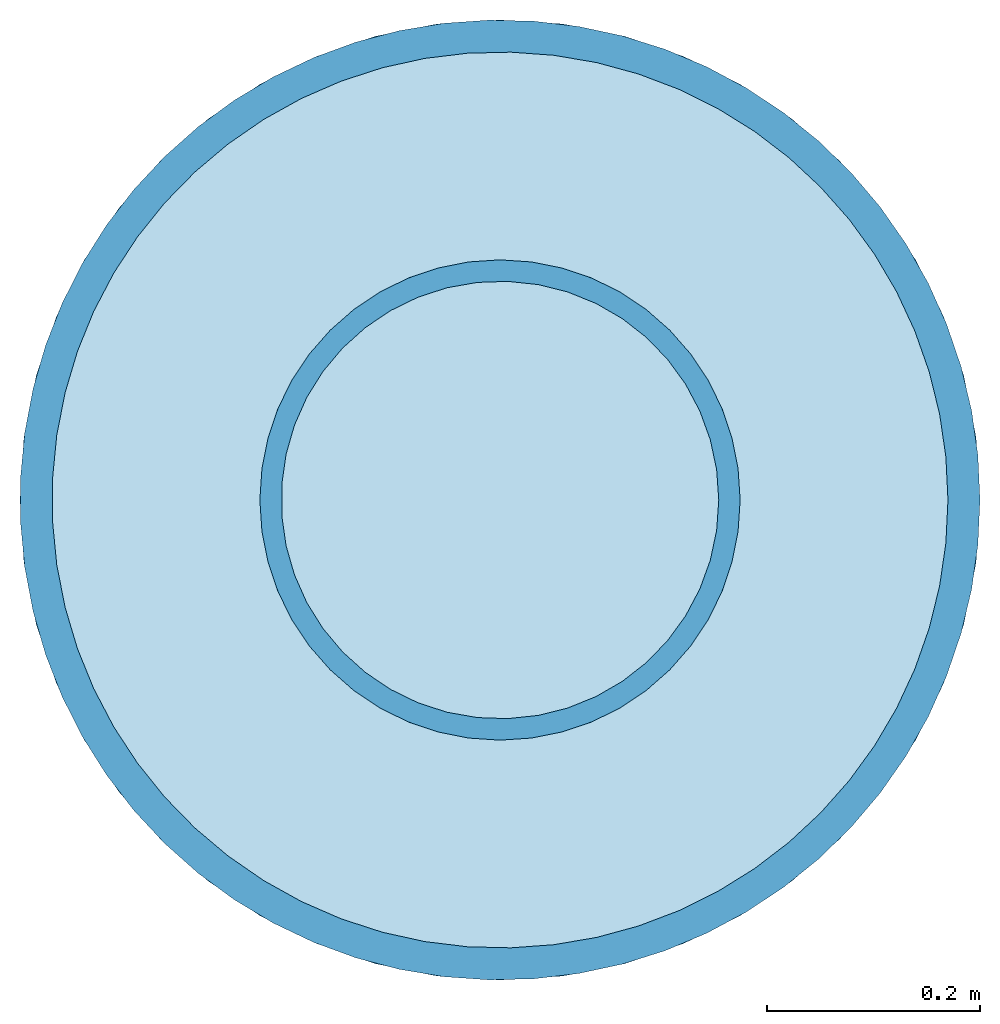
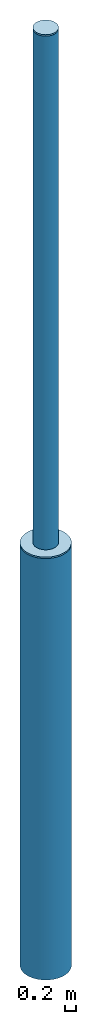
# One storey: 2 members, 2 plates.
"""IFC4 building model written with IfcOpenShell, lengths in metres."""

import ifcopenshell
import ifcopenshell.guid

model = None  # the IFC model being written
_history = None  # IfcOwnerHistory: only IFC2X3 demands one
_inside = {}  # id of a spatial element -> (the spatial element, [elements in it])
_under = {}  # id of a project, library or spatial element -> (it, [spatial elements below it])
_declared = {}  # id of a project -> (the project, [libraries it declares])
_typed = {}  # id of a type object -> (the type object, [elements of that type])
_made_of = {}  # id of a material, layer set ... -> (it, [elements and type objects made of it])


def new_model(schema):
    """Start an empty IFC model of exactly this schema.

    Asked for "IFC4X3", IfcOpenShell would pick the latest addendum, in which some entities
    have other attributes; the version numbers below select the first issue.
    IFC2X3 requires an IfcOwnerHistory on every rooted entity: one is made here for all.
    """
    global model, _history
    if schema == "IFC4X3":
        model = ifcopenshell.file(schema_version=(4, 3, 0, 0))
    else:
        model = ifcopenshell.file(schema=schema)
    _inside.clear()
    _under.clear()
    _declared.clear()
    _typed.clear()
    _made_of.clear()
    _history = None
    if model.schema == "IFC2X3":
        org = make("IfcOrganization", Name="unknown")
        user = make(
            "IfcPersonAndOrganization",
            ThePerson=make("IfcPerson", FamilyName="unknown"),
            TheOrganization=org,
        )
        app = make(
            "IfcApplication",
            ApplicationDeveloper=org,
            Version="unknown",
            ApplicationFullName="unknown",
            ApplicationIdentifier="unknown",
        )
        _history = make(
            "IfcOwnerHistory",
            OwningUser=user,
            OwningApplication=app,
            ChangeAction="ADDED",
            CreationDate=0,
        )
    return model


def make(cls, **values):
    """One entity of the class cls with the attributes given. An attribute that is None is left unset."""
    return model.create_entity(
        cls, **{name: value for name, value in values.items() if value is not None}
    )


def rooted(cls, **values):
    """An entity with a GlobalId (a new one), such as an element, a storey or a relation."""
    return make(cls, GlobalId=ifcopenshell.guid.new(), OwnerHistory=_history, **values)


def si_unit(unit_type, name, prefix=None):
    """IfcSIUnit, for example si_unit("LENGTHUNIT", "METRE", prefix="MILLI")."""
    return make("IfcSIUnit", UnitType=unit_type, Prefix=prefix, Name=name)


def assignment(units):
    """IfcUnitAssignment: the units of a project."""
    return None if units is None else make("IfcUnitAssignment", Units=units)


def point(xyz):
    """IfcCartesianPoint."""
    return None if xyz is None else make("IfcCartesianPoint", Coordinates=xyz)


def direction(xyz):
    """IfcDirection."""
    return None if xyz is None else make("IfcDirection", DirectionRatios=xyz)


def frame(location, z_axis=None, x_axis=None):
    """IfcAxis2Placement3D, a coordinate frame: its origin and axes. An axis left out is left unset."""
    return make(
        "IfcAxis2Placement3D",
        Location=point(location),
        Axis=direction(z_axis),
        RefDirection=direction(x_axis),
    )


def frame_2d(location, x_axis=None):
    """IfcAxis2Placement2D, a coordinate frame in the plane: its origin and x axis."""
    return make(
        "IfcAxis2Placement2D", Location=point(location), RefDirection=direction(x_axis)
    )


def origin():
    """The frame at (0, 0, 0) with its axes left unset."""
    return frame((0.0, 0.0, 0.0))


def origin_with_axes():
    """The frame at (0, 0, 0) with the z axis (0, 0, 1) and the x axis (1, 0, 0) written out."""
    return frame((0.0, 0.0, 0.0), z_axis=(0.0, 0.0, 1.0), x_axis=(1.0, 0.0, 0.0))


def origin_2d():
    """The frame at (0, 0) in the plane with its x axis left unset."""
    return frame_2d((0.0, 0.0))


def place(relative_to, where):
    """IfcLocalPlacement: puts the frame where relative to a parent placement (None: the world)."""
    return make(
        "IfcLocalPlacement", PlacementRelTo=relative_to, RelativePlacement=where
    )


def context(
    kind, dimensions, precision=None, world=None, true_north=None, identifier=None
):
    """IfcGeometricRepresentationContext, for example the 3D "Model" context."""
    return make(
        "IfcGeometricRepresentationContext",
        ContextIdentifier=identifier,
        ContextType=kind,
        CoordinateSpaceDimension=dimensions,
        Precision=precision,
        WorldCoordinateSystem=world,
        TrueNorth=true_north,
    )


def subcontext(parent, identifier, kind, view, scale=None):
    """IfcGeometricRepresentationSubContext, for example "Body" below "Model"."""
    return make(
        "IfcGeometricRepresentationSubContext",
        ContextIdentifier=identifier,
        ContextType=kind,
        ParentContext=parent,
        TargetScale=scale,
        TargetView=view,
    )


def project(units=None, contexts=None):
    """IfcProject with its units and contexts."""
    return rooted(
        "IfcProject",
        Name="project",
        RepresentationContexts=contexts,
        UnitsInContext=assignment(units),
    )


def spatial(cls, under=None, at=None, **own):
    """A site, building, storey or space (cls), placed at a placement, below another one or the project."""
    s = rooted(cls, ObjectPlacement=at, **own)
    if under is not None:
        _under.setdefault(under.id(), (under, []))[1].append(s)
    return s


def polyline(points):
    """IfcPolyline through the points."""
    return make("IfcPolyline", Points=[point(p) for p in points])


def profile(cls, at=None, kind="AREA", **sizes):
    """A parametric profile (cls). Its sizes go by their IFC names, for example OverallWidth=200.0."""
    return make(cls, ProfileType=kind, Position=at, **sizes)


def hollow_circle(**sizes):
    """IfcCircleHollowProfileDef."""
    return profile("IfcCircleHollowProfileDef", **sizes)


def outline(outer, holes=None, kind="AREA"):
    """IfcArbitraryClosedProfileDef: a profile drawn as a closed curve; with holes, ...WithVoids."""
    if holes is None:
        return make("IfcArbitraryClosedProfileDef", ProfileType=kind, OuterCurve=outer)
    return make(
        "IfcArbitraryProfileDefWithVoids",
        ProfileType=kind,
        OuterCurve=outer,
        InnerCurves=holes,
    )


def extrude(swept, where, along, depth):
    """IfcExtrudedAreaSolid: the profile swept, set in the frame where, extruded along a direction by depth."""
    return make(
        "IfcExtrudedAreaSolid",
        SweptArea=swept,
        Position=where,
        ExtrudedDirection=direction(along),
        Depth=depth,
    )


def shape(context_of_items, identifier, shape_type, items):
    """IfcShapeRepresentation: the items that make up one representation, for example the "Body"."""
    return make(
        "IfcShapeRepresentation",
        ContextOfItems=context_of_items,
        RepresentationIdentifier=identifier,
        RepresentationType=shape_type,
        Items=items,
    )


def material(Name=None, Category=None):
    """IfcMaterial."""
    return make("IfcMaterial", Name=Name, Category=Category)


def layer(
    of_material, thickness, ventilated=None, Name=None, Category=None, Priority=None
):
    """IfcMaterialLayer: one layer of a wall or slab, of a material (None: an air gap)."""
    return make(
        "IfcMaterialLayer",
        Material=of_material,
        LayerThickness=thickness,
        IsVentilated=ventilated,
        Name=Name,
        Category=Category,
        Priority=Priority,
    )


def layer_set(layers, Name=None):
    """IfcMaterialLayerSet."""
    return make("IfcMaterialLayerSet", MaterialLayers=layers, LayerSetName=Name)


def material_profile(
    of_material, cross_section, Name=None, Category=None, Priority=None
):
    """IfcMaterialProfile: a cross section and its material."""
    return make(
        "IfcMaterialProfile",
        Name=Name,
        Material=of_material,
        Profile=cross_section,
        Priority=Priority,
        Category=Category,
    )


def profile_set(profiles, Name=None, composite=None):
    """IfcMaterialProfileSet."""
    return make(
        "IfcMaterialProfileSet",
        Name=Name,
        MaterialProfiles=profiles,
        CompositeProfile=composite,
    )


def made_of(thing, what):
    """Note that an element or type object is made of a material, layer set ...; save() writes the relation."""
    if what is not None:
        _made_of.setdefault(what.id(), (what, []))[1].append(thing)
    return thing


def type_object(cls, material=None, **own):
    """A type object (cls), such as IfcWallType, which elements share."""
    return made_of(rooted(cls, **own), material)


def element(
    cls,
    number,
    at=None,
    inside=None,
    cuts=None,
    type_object=None,
    material=None,
    context=None,
    identifier="Body",
    shape_type=None,
    held_by="IfcProductDefinitionShape",
    body=None,
    shapes=None,
    **own,
):
    """One element of the class cls, such as IfcWall. Its Tag is "e" and its number.

    at: its placement. inside: the storey or other place that contains it. cuts: it is an
    opening in that element (IfcRelVoidsElement). A single representation is given by context,
    identifier, shape_type and body (its items); several are given by shapes. held_by: the class
    of the entity that holds the representations. save() writes the other relations.
    """
    e = rooted(cls, Tag="e%d" % number, ObjectPlacement=at, **own)
    if body is not None:
        shapes = [shape(context, identifier, shape_type, body)]
    if shapes is not None:
        e.Representation = make(held_by, Representations=shapes)
    if inside is not None:
        _inside.setdefault(inside.id(), (inside, []))[1].append(e)
    if cuts is not None:
        rooted(
            "IfcRelVoidsElement", RelatingBuildingElement=cuts, RelatedOpeningElement=e
        )
    if type_object is not None:
        _typed.setdefault(type_object.id(), (type_object, []))[1].append(e)
    return made_of(e, material)


def aggregate(whole, parts):
    """IfcRelAggregates: a whole, such as a stair, and the parts it consists of."""
    return rooted("IfcRelAggregates", RelatingObject=whole, RelatedObjects=parts)


def save(model, path):
    """Write the relations noted so far, then the file.

    IfcRelAggregates (storeys below a building ...), IfcRelContainedInSpatialStructure (elements
    in a storey), IfcRelDefinesByType, IfcRelAssociatesMaterial and IfcRelDeclares: one each for
    every whole, place, type object, material and project.
    """
    for whole, parts in _under.values():
        aggregate(whole, parts)
    for where, things in _inside.values():
        rooted(
            "IfcRelContainedInSpatialStructure",
            RelatedElements=things,
            RelatingStructure=where,
        )
    for kind, things in _typed.values():
        rooted("IfcRelDefinesByType", RelatedObjects=things, RelatingType=kind)
    for what, things in _made_of.values():
        rooted("IfcRelAssociatesMaterial", RelatedObjects=things, RelatingMaterial=what)
    for by, libraries in _declared.values():
        rooted("IfcRelDeclares", RelatingContext=by, RelatedDefinitions=libraries)
    model.write(path)


model = new_model("IFC4")

# Units and contexts
model_context = context("Model", 3, precision=1e-05, world=origin(), true_north=direction((0.0, 1.0)))
body_context = subcontext(model_context, "Body", "Model", "MODEL_VIEW")
ifc_project = project(units=[si_unit("LENGTHUNIT", "METRE"), si_unit("AREAUNIT", "SQUARE_METRE"), si_unit("VOLUMEUNIT", "CUBIC_METRE"), si_unit("PLANEANGLEUNIT", "RADIAN"), si_unit("MASSUNIT", "GRAM", prefix="KILO")], contexts=[model_context])

# Site, building, storey
site_placement = place(None, origin())
site = spatial("IfcSite", under=ifc_project, at=site_placement, CompositionType="ELEMENT")
building_placement = place(site_placement, origin())
building = spatial("IfcBuilding", under=site, at=building_placement, Name="Corvane Civic Tower", CompositionType="ELEMENT")
storey_placement = place(building_placement, frame((0.0, 0.0, 418.199951171875)))
storey = spatial("IfcBuildingStorey", under=building, at=storey_placement, Name="Roof", CompositionType="ELEMENT", Elevation=418.199951171875)

# Members
ifc_material_1 = material(Name="Steel ASTM A572 Gr 50", Category="steel")
ifc_material_profile_1 = material_profile(ifc_material_1, hollow_circle(Radius=0.22509765625, WallThickness=0.02001953125, at=origin_2d()), Name="CHS 450x20")
ifc_profile_set_1 = profile_set([ifc_material_profile_1], Name="Steel ASTM A572 Gr 50")
member_type_1 = type_object("IfcMemberType", Name="CROWN-SPIRE-CHS-450", PredefinedType="USERDEFINED", material=ifc_profile_set_1)
member_1_placement = place(storey_placement, frame((0.0, 0.0, 9.030029296875), z_axis=(0.0, 0.0, 1.0), x_axis=(1.0, 0.0, 0.0)))
element("IfcMember", 1, at=member_1_placement, inside=storey, type_object=member_type_1, Name="Spire mast upper", ObjectType="SPIRE", PredefinedType="USERDEFINED", context=body_context, shape_type="SweptSolid", body=[
    extrude(hollow_circle(Radius=0.22509765625, WallThickness=0.02001953125, at=origin_2d()), origin(), (0.0, 0.0, 1.0), 10.969970703125),
])
ifc_material_2 = material(Name="Steel ASTM A572 Gr 50", Category="steel")
ifc_material_profile_2 = material_profile(ifc_material_2, hollow_circle(Radius=0.449951171875, WallThickness=0.030029296875, at=origin_2d()), Name="CHS 900x30")
ifc_profile_set_2 = profile_set([ifc_material_profile_2], Name="Steel ASTM A572 Gr 50")
member_type_2 = type_object("IfcMemberType", Name="CROWN-SPIRE-CHS-900", PredefinedType="USERDEFINED", material=ifc_profile_set_2)
member_2_placement = place(storey_placement, origin_with_axes())
element("IfcMember", 2, at=member_2_placement, inside=storey, type_object=member_type_2, Name="Spire mast lower", ObjectType="SPIRE", PredefinedType="USERDEFINED", context=body_context, shape_type="SweptSolid", body=[
    extrude(hollow_circle(Radius=0.449951171875, WallThickness=0.030029296875, at=origin_2d()), origin(), (0.0, 0.0, 1.0), 9.0),
])

# Plates
ifc_material_3 = material(Name="Steel ASTM A572 Gr 50", Category="steel")
ifc_layer_1 = layer(ifc_material_3, 0.030029296875)
ifc_layer_set_1 = layer_set([ifc_layer_1], Name="Steel ASTM A572 Gr 50")
plate_type_1 = type_object("IfcPlateType", Name="CROWN-SPIRE-PLATE-30", PredefinedType="SHEET", material=ifc_layer_set_1)
plate_1_placement = place(storey_placement, frame((0.0, 0.0, 9.0)))
element("IfcPlate", 3, at=plate_1_placement, inside=storey, type_object=plate_type_1, Name="Spire transition plate", PredefinedType="SHEET", context=body_context, shape_type="SweptSolid", body=[
    extrude(outline(polyline([(0.449951171875, 0.0), (0.4462890625, 0.05859375), (0.434814453125, 0.116455078125), (0.415771484375, 0.172119140625), (0.3896484375, 0.22509765625), (0.35693359375, 0.27392578125), (0.318115234375, 0.318115234375), (0.27392578125, 0.35693359375), (0.22509765625, 0.3896484375), (0.172119140625, 0.415771484375), (0.116455078125, 0.434814453125), (0.05859375, 0.4462890625), (0.0, 0.449951171875), (-0.05859375, 0.4462890625), (-0.116455078125, 0.434814453125), (-0.172119140625, 0.415771484375), (-0.22509765625, 0.3896484375), (-0.27392578125, 0.35693359375), (-0.318115234375, 0.318115234375), (-0.35693359375, 0.27392578125), (-0.3896484375, 0.22509765625), (-0.415771484375, 0.172119140625), (-0.434814453125, 0.116455078125), (-0.4462890625, 0.05859375), (-0.449951171875, 0.0), (-0.4462890625, -0.05859375), (-0.434814453125, -0.116455078125), (-0.415771484375, -0.172119140625), (-0.3896484375, -0.22509765625), (-0.35693359375, -0.27392578125), (-0.318115234375, -0.318115234375), (-0.27392578125, -0.35693359375), (-0.22509765625, -0.3896484375), (-0.172119140625, -0.415771484375), (-0.116455078125, -0.434814453125), (-0.05859375, -0.4462890625), (0.0, -0.449951171875), (0.05859375, -0.4462890625), (0.116455078125, -0.434814453125), (0.172119140625, -0.415771484375), (0.22509765625, -0.3896484375), (0.27392578125, -0.35693359375), (0.318115234375, -0.318115234375), (0.35693359375, -0.27392578125), (0.3896484375, -0.22509765625), (0.415771484375, -0.172119140625), (0.434814453125, -0.116455078125), (0.4462890625, -0.05859375), (0.449951171875, 0.0)])), origin(), (0.0, 0.0, 1.0), 0.030029296875),
])
ifc_material_4 = material(Name="Steel ASTM A572 Gr 50", Category="steel")
ifc_layer_2 = layer(ifc_material_4, 0.030029296875)
ifc_layer_set_2 = layer_set([ifc_layer_2], Name="Steel ASTM A572 Gr 50")
plate_type_2 = type_object("IfcPlateType", Name="CROWN-SPIRE-TIP-30", PredefinedType="SHEET", material=ifc_layer_set_2)
plate_2_placement = place(storey_placement, frame((0.0, 0.0, 20.0)))
element("IfcPlate", 4, at=plate_2_placement, inside=storey, type_object=plate_type_2, Name="Spire tip cap", PredefinedType="SHEET", context=body_context, shape_type="SweptSolid", body=[
    extrude(outline(polyline([(0.22509765625, 0.0), (0.22314453125, 0.029296875), (0.21728515625, 0.05810546875), (0.2080078125, 0.086181640625), (0.19482421875, 0.112548828125), (0.178466796875, 0.136962890625), (0.1591796875, 0.1591796875), (0.136962890625, 0.178466796875), (0.112548828125, 0.19482421875), (0.086181640625, 0.2080078125), (0.05810546875, 0.21728515625), (0.029296875, 0.22314453125), (0.0, 0.22509765625), (-0.029296875, 0.22314453125), (-0.05810546875, 0.21728515625), (-0.086181640625, 0.2080078125), (-0.112548828125, 0.19482421875), (-0.136962890625, 0.178466796875), (-0.1591796875, 0.1591796875), (-0.178466796875, 0.136962890625), (-0.19482421875, 0.112548828125), (-0.2080078125, 0.086181640625), (-0.21728515625, 0.05810546875), (-0.22314453125, 0.029296875), (-0.22509765625, 0.0), (-0.22314453125, -0.029296875), (-0.21728515625, -0.05810546875), (-0.2080078125, -0.086181640625), (-0.19482421875, -0.112548828125), (-0.178466796875, -0.136962890625), (-0.1591796875, -0.1591796875), (-0.136962890625, -0.178466796875), (-0.112548828125, -0.19482421875), (-0.086181640625, -0.2080078125), (-0.05810546875, -0.21728515625), (-0.029296875, -0.22314453125), (0.0, -0.22509765625), (0.029296875, -0.22314453125), (0.05810546875, -0.21728515625), (0.086181640625, -0.2080078125), (0.112548828125, -0.19482421875), (0.136962890625, -0.178466796875), (0.1591796875, -0.1591796875), (0.178466796875, -0.136962890625), (0.19482421875, -0.112548828125), (0.2080078125, -0.086181640625), (0.21728515625, -0.05810546875), (0.22314453125, -0.029296875), (0.22509765625, 0.0)])), origin(), (0.0, 0.0, 1.0), 0.030029296875),
])

save(model, "model.ifc")
